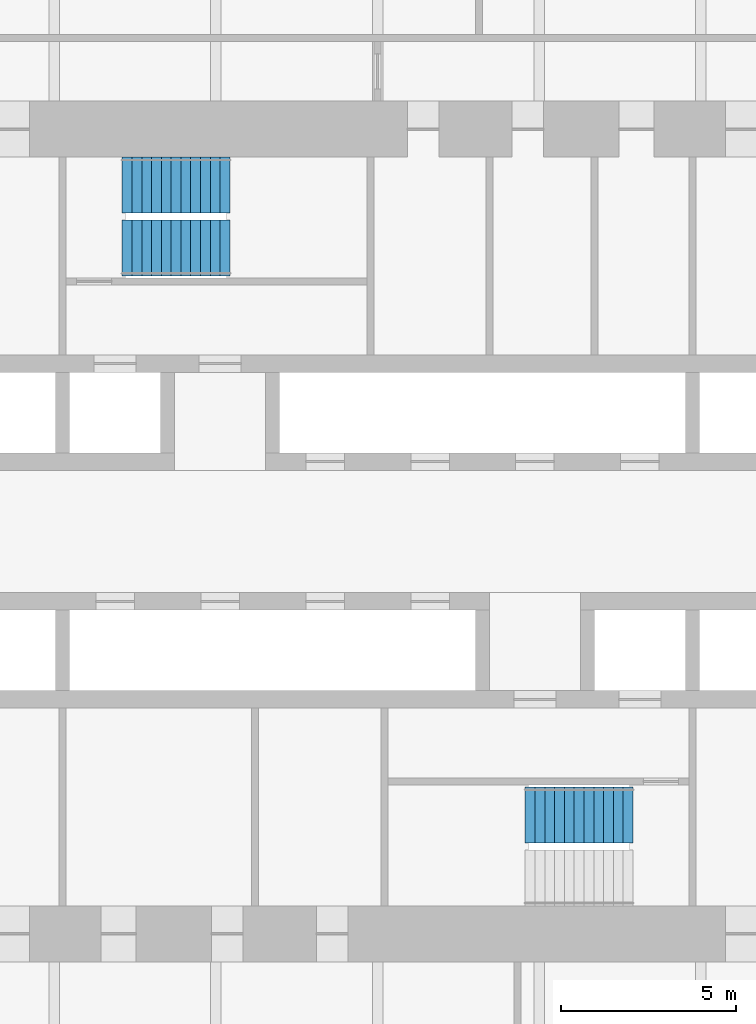
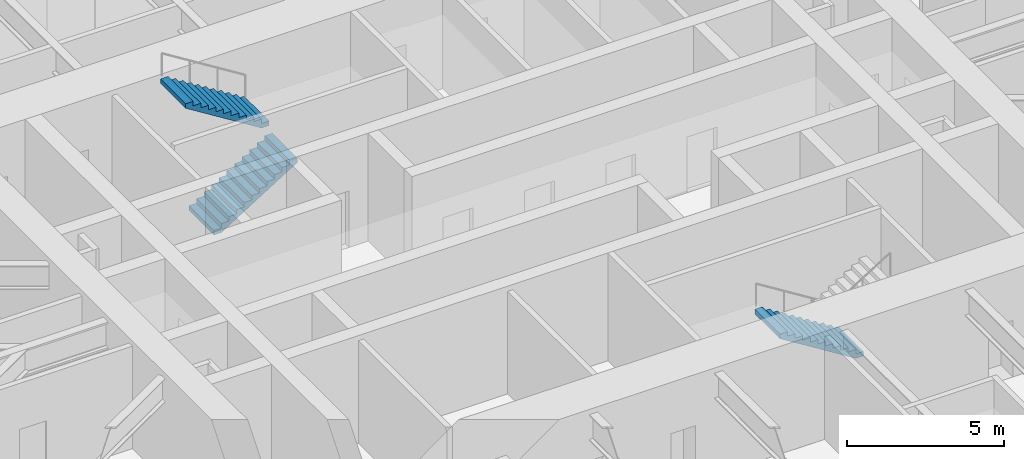
# One storey, part 18 of 20: 3 stair flights, 2 elements without a shape of their own.
"""IFC4 building model written with IfcOpenShell, lengths in metres."""

from ifc_helpers import new_model, si_unit, direction, frame, origin, place, context, subcontext, project, spatial, polyline, outline, extrude, material, type_object, element, aggregate, save


model = new_model("IFC4")

# Units and contexts
model_context = context("Model", 3, precision=1e-05, world=origin(), true_north=direction((0.0, 1.0)))
body_context = subcontext(model_context, "Body", "Model", "MODEL_VIEW")
ifc_project = project(units=[si_unit("LENGTHUNIT", "METRE"), si_unit("AREAUNIT", "SQUARE_METRE"), si_unit("VOLUMEUNIT", "CUBIC_METRE"), si_unit("PLANEANGLEUNIT", "RADIAN"), si_unit("MASSUNIT", "GRAM", prefix="KILO")], contexts=[model_context])

# Site, building, storey
site_placement = place(None, origin())
site = spatial("IfcSite", under=ifc_project, at=site_placement, CompositionType="ELEMENT")
building_placement = place(site_placement, origin())
building = spatial("IfcBuilding", under=site, at=building_placement, Name="Tarfa Lantern Tower", CompositionType="ELEMENT")
storey_placement = place(building_placement, frame((0.0, 0.0, 219.699951171875)))
storey = spatial("IfcBuildingStorey", under=building, at=storey_placement, Name="L49", CompositionType="ELEMENT", Elevation=219.699951171875)

# Stair, stair flights
ifc_material = material(Name="Concrete C40/50", Category="concrete")
stair_type = type_object("IfcStairType", Name="ST-T10 HALF-TURN STAIR 4200 RISE", PredefinedType="HALF_TURN_STAIR", material=ifc_material)
stair_1_placement = place(storey_placement, origin())
stair_1 = element("IfcStair", 1, at=stair_1_placement, inside=storey, type_object=stair_type, Name="Stair ST1", PredefinedType="HALF_TURN_STAIR")
stair_flight_type = type_object("IfcStairFlightType", Name="SF1 STAIR FLIGHT", PredefinedType="STRAIGHT", material=ifc_material)
stair_flight_1_placement = place(storey_placement, frame((-7.300048828125, 8.10009765625, 0.0), z_axis=(0.0, 0.0, 1.0), x_axis=(1.0, 0.0, 0.0)))
stair_flight_1 = element("IfcStairFlight", 2, at=stair_flight_1_placement, type_object=stair_flight_type, Name="ST1 flight 1", NumberOfRisers=12, NumberOfTreads=11, PredefinedType="STRAIGHT", RiserHeight=0.175, TreadLength=0.28, context=body_context, shape_type="SweptSolid", body=[
    extrude(outline(polyline([(0.0, 0.0), (0.0, 0.175048828125), (0.280029296875, 0.175048828125), (0.280029296875, 0.35009765625), (0.56005859375, 0.35009765625), (0.56005859375, 0.52490234375), (0.840087890625, 0.52490234375), (0.840087890625, 0.699951171875), (1.1201171875, 0.699951171875), (1.1201171875, 0.875), (1.39990234375, 0.875), (1.39990234375, 1.050048828125), (1.679931640625, 1.050048828125), (1.679931640625, 1.22509765625), (1.9599609375, 1.22509765625), (1.9599609375, 1.39990234375), (2.239990234375, 1.39990234375), (2.239990234375, 1.574951171875), (2.52001953125, 1.574951171875), (2.52001953125, 1.75), (2.800048828125, 1.75), (2.800048828125, 1.925048828125), (3.080078125, 1.925048828125), (3.080078125, 2.10009765625), (3.080078125, 1.748291015625), (0.28271484375, 0.0), (0.0, 0.0)])), frame((0.0, 0.800048828125, 0.0), z_axis=(0.0, -1.0, 0.0), x_axis=(1.0, 0.0, 0.0)), (0.0, 0.0, 1.0), 1.60009765625),
])
stair_flight_2_placement = place(storey_placement, frame((-4.219970703125, 9.89990234375, 2.10009765625), z_axis=(0.0, 0.0, 1.0), x_axis=(-1.0, 0.0, 0.0)))
stair_flight_2 = element("IfcStairFlight", 3, at=stair_flight_2_placement, type_object=stair_flight_type, Name="ST1 flight 2", NumberOfRisers=12, NumberOfTreads=11, PredefinedType="STRAIGHT", RiserHeight=0.175, TreadLength=0.28, context=body_context, shape_type="SweptSolid", body=[
    extrude(outline(polyline([(0.0, 0.0), (0.0, 0.175048828125), (0.280029296875, 0.175048828125), (0.280029296875, 0.35009765625), (0.56005859375, 0.35009765625), (0.56005859375, 0.52490234375), (0.840087890625, 0.52490234375), (0.840087890625, 0.699951171875), (1.1201171875, 0.699951171875), (1.1201171875, 0.875), (1.39990234375, 0.875), (1.39990234375, 1.050048828125), (1.679931640625, 1.050048828125), (1.679931640625, 1.22509765625), (1.9599609375, 1.22509765625), (1.9599609375, 1.39990234375), (2.239990234375, 1.39990234375), (2.239990234375, 1.574951171875), (2.52001953125, 1.574951171875), (2.52001953125, 1.75), (2.800048828125, 1.75), (2.800048828125, 1.925048828125), (3.080078125, 1.925048828125), (3.080078125, 2.10009765625), (3.080078125, 1.748291015625), (0.28271484375, 0.0), (0.0, 0.0)])), frame((0.0, 0.800048828125, 0.0), z_axis=(0.0, -1.0, 0.0), x_axis=(1.0, 0.0, 0.0)), (0.0, 0.0, 1.0), 1.60009765625),
])
aggregate(stair_1, [stair_flight_1, stair_flight_2])

# Stair, stair flight
stair_2_placement = place(storey_placement, origin())
stair_2 = element("IfcStair", 4, at=stair_2_placement, inside=storey, type_object=stair_type, Name="Stair ST2", PredefinedType="HALF_TURN_STAIR")
stair_flight_3_placement = place(storey_placement, frame((7.300048828125, -8.10009765625, 0.0), z_axis=(0.0, 0.0, 1.0), x_axis=(-1.0, 0.0, 0.0)))
stair_flight_3 = element("IfcStairFlight", 5, at=stair_flight_3_placement, type_object=stair_flight_type, Name="ST2 flight 1", NumberOfRisers=12, NumberOfTreads=11, PredefinedType="STRAIGHT", RiserHeight=0.175, TreadLength=0.28, context=body_context, shape_type="SweptSolid", body=[
    extrude(outline(polyline([(0.0, 0.0), (0.0, 0.175048828125), (0.280029296875, 0.175048828125), (0.280029296875, 0.35009765625), (0.56005859375, 0.35009765625), (0.56005859375, 0.52490234375), (0.840087890625, 0.52490234375), (0.840087890625, 0.699951171875), (1.1201171875, 0.699951171875), (1.1201171875, 0.875), (1.39990234375, 0.875), (1.39990234375, 1.050048828125), (1.679931640625, 1.050048828125), (1.679931640625, 1.22509765625), (1.9599609375, 1.22509765625), (1.9599609375, 1.39990234375), (2.239990234375, 1.39990234375), (2.239990234375, 1.574951171875), (2.52001953125, 1.574951171875), (2.52001953125, 1.75), (2.800048828125, 1.75), (2.800048828125, 1.925048828125), (3.080078125, 1.925048828125), (3.080078125, 2.10009765625), (3.080078125, 1.748291015625), (0.28271484375, 0.0), (0.0, 0.0)])), frame((0.0, 0.800048828125, 0.0), z_axis=(0.0, -1.0, 0.0), x_axis=(1.0, 0.0, 0.0)), (0.0, 0.0, 1.0), 1.60009765625),
])
aggregate(stair_2, [stair_flight_3])

save(model, "model.ifc")
